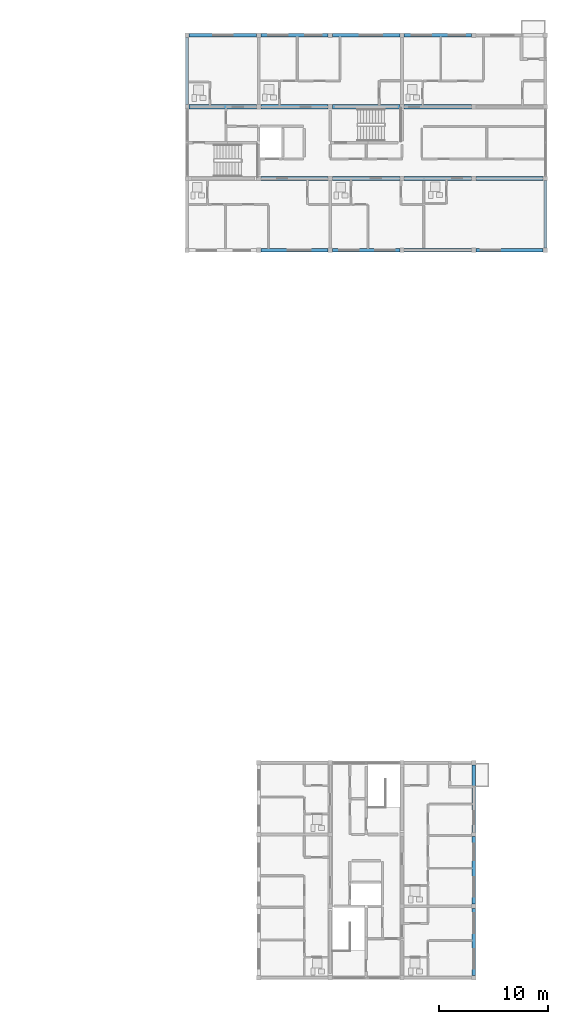
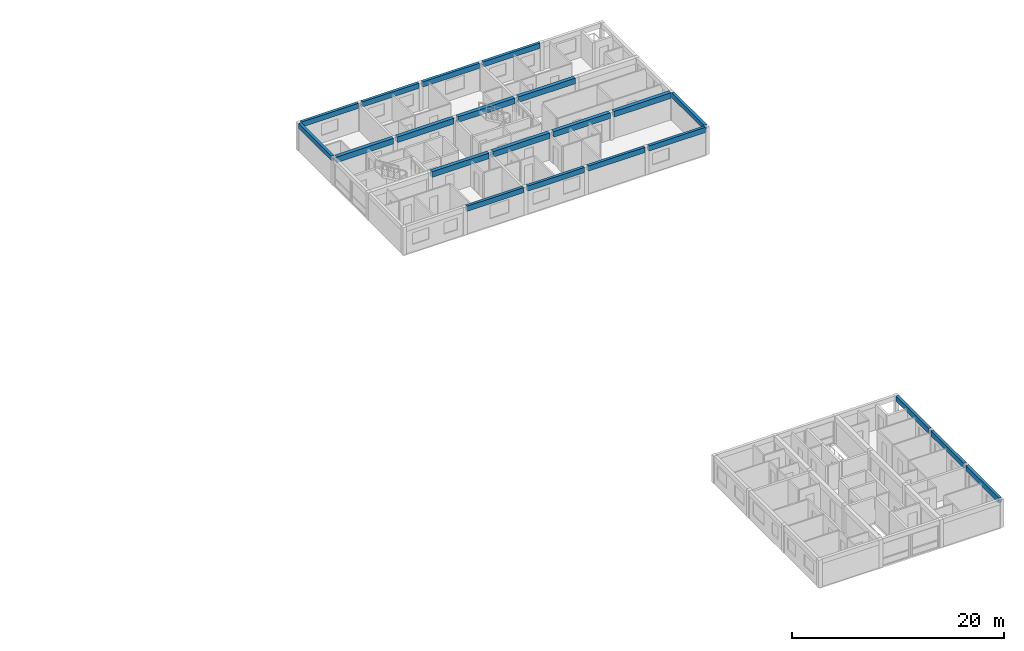
# One storey, part 14 of 34: 21 beams.
"""IFC4 building model written with IfcOpenShell, lengths in metres."""

from ifc_helpers import new_model, si_unit, direction, frame, origin, origin_2d, place, context, subcontext, project, spatial, rectangle, extrude, material, material_profile, profile_set, type_object, element, save


model = new_model("IFC4")

# Units and contexts
model_context = context("Model", 3, precision=1e-05, world=origin(), true_north=direction((0.0, 1.0)))
body_context = subcontext(model_context, "Body", "Model", "MODEL_VIEW")
ifc_project = project(units=[si_unit("LENGTHUNIT", "METRE"), si_unit("AREAUNIT", "SQUARE_METRE"), si_unit("VOLUMEUNIT", "CUBIC_METRE"), si_unit("PLANEANGLEUNIT", "RADIAN"), si_unit("MASSUNIT", "GRAM", prefix="KILO")], contexts=[model_context])

# Site, building, storey
site_placement = place(None, origin())
site = spatial("IfcSite", under=ifc_project, at=site_placement, CompositionType="ELEMENT")
building_placement = place(site_placement, origin())
building = spatial("IfcBuilding", under=site, at=building_placement, Name="Kernevlak Ridge Housing Community", CompositionType="ELEMENT")
storey_placement = place(building_placement, frame((0.0, 0.0, 40.39990234375)))
storey = spatial("IfcBuildingStorey", under=building, at=storey_placement, Name="L12", CompositionType="ELEMENT", Elevation=40.39990234375)

# Beams
ifc_material = material(Name="Concrete C35/45", Category="concrete")
ifc_material_profile_1 = material_profile(ifc_material, rectangle(XDim=0.39990234375, YDim=0.64990234375, at=origin_2d()), Name="RC 400x650")
ifc_profile_set_1 = profile_set([ifc_material_profile_1], Name="Concrete C35/45")
beam_type_1 = type_object("IfcBeamType", Name="B-03", PredefinedType="T_BEAM", material=ifc_profile_set_1)
for number, where, z_axis, x_axis, name in (
    (1, (126.199951171875, 89.199951171875, 2.875), (1.0, 0.0, 0.0), (0.0, 1.0, 0.0), "Beam B-03 L12 895"),
    (2, (132.800048828125, 89.199951171875, 2.875), (1.0, 0.0, 0.0), (0.0, 1.0, 0.0), "Beam B-03 L12 896"),
):
    element("IfcBeam", number, at=place(storey_placement, frame(where, z_axis=z_axis, x_axis=x_axis)), inside=storey, type_object=beam_type_1, Name=name, PredefinedType="T_BEAM", context=body_context, shape_type="SweptSolid", body=[
        extrude(rectangle(XDim=0.39990234375, YDim=0.64990234375, at=origin_2d()), origin(), (0.0, 0.0, 1.0), 6.199951171875),
    ])
beam_1_placement = place(storey_placement, frame((139.39990234375, 89.199951171875, 2.875), z_axis=(1.0, 0.0, 0.0), x_axis=(0.0, 1.0, 0.0)))
element("IfcBeam", 3, at=beam_1_placement, inside=storey, type_object=beam_type_1, Name="Beam B-03 L12 897", PredefinedType="T_BEAM", context=body_context, shape_type="SweptSolid", body=[
    extrude(rectangle(XDim=0.39990234375, YDim=0.64990234375, at=origin_2d()), origin(), (0.0, 0.0, 1.0), 6.2001953125),
])
for number, where, z_axis, x_axis, name in (
    (4, (146.0, 89.199951171875, 2.875), (1.0, 0.0, 0.0), (0.0, 1.0, 0.0), "Beam B-03 L12 898"),
    (5, (119.60009765625, 95.800048828125, 2.875), (1.0, 0.0, 0.0), (0.0, 1.0, 0.0), "Beam B-03 L12 899"),
    (6, (126.199951171875, 95.800048828125, 2.875), (1.0, 0.0, 0.0), (0.0, 1.0, 0.0), "Beam B-03 L12 900"),
    (7, (132.800048828125, 95.800048828125, 2.875), (1.0, 0.0, 0.0), (0.0, 1.0, 0.0), "Beam B-03 L12 901"),
):
    element("IfcBeam", number, at=place(storey_placement, frame(where, z_axis=z_axis, x_axis=x_axis)), inside=storey, type_object=beam_type_1, Name=name, PredefinedType="T_BEAM", context=body_context, shape_type="SweptSolid", body=[
        extrude(rectangle(XDim=0.39990234375, YDim=0.64990234375, at=origin_2d()), origin(), (0.0, 0.0, 1.0), 6.199951171875),
    ])
beam_2_placement = place(storey_placement, frame((139.39990234375, 95.800048828125, 2.875), z_axis=(1.0, 0.0, 0.0), x_axis=(0.0, 1.0, 0.0)))
element("IfcBeam", 8, at=beam_2_placement, inside=storey, type_object=beam_type_1, Name="Beam B-03 L12 902", PredefinedType="T_BEAM", context=body_context, shape_type="SweptSolid", body=[
    extrude(rectangle(XDim=0.39990234375, YDim=0.64990234375, at=origin_2d()), origin(), (0.0, 0.0, 1.0), 6.2001953125),
])
ifc_material_profile_2 = material_profile(ifc_material, rectangle(XDim=0.300048828125, YDim=0.550048828125, at=origin_2d()), Name="RC 300x550")
ifc_profile_set_2 = profile_set([ifc_material_profile_2], Name="Concrete C35/45")
beam_type_2 = type_object("IfcBeamType", Name="SP-01", PredefinedType="SPANDREL", material=ifc_profile_set_2)
for number, where, z_axis, x_axis, name in (
    (9, (119.39990234375, 96.0, 2.925048828125), (0.0, 1.0, 0.0), (-1.0, 0.0, 0.0), "Beam SP-01 L12 911"),
    (10, (152.39990234375, 82.800048828125, 2.925048828125), (0.0, 1.0, 0.0), (-1.0, 0.0, 0.0), "Beam SP-01 L12 912"),
):
    element("IfcBeam", number, at=place(storey_placement, frame(where, z_axis=z_axis, x_axis=x_axis)), inside=storey, type_object=beam_type_2, Name=name, PredefinedType="SPANDREL", context=body_context, shape_type="SweptSolid", body=[
        extrude(rectangle(XDim=0.300048828125, YDim=0.550048828125, at=origin_2d()), origin(), (0.0, 0.0, 1.0), 6.199951171875),
    ])
ifc_material_profile_3 = material_profile(ifc_material, rectangle(XDim=0.300048828125, YDim=0.60009765625, at=origin_2d()), Name="RC 300x600")
ifc_profile_set_3 = profile_set([ifc_material_profile_3], Name="Concrete C35/45")
beam_type_3 = type_object("IfcBeamType", Name="SP-02", PredefinedType="SPANDREL", material=ifc_profile_set_3)
for number, where, z_axis, x_axis, name in (
    (11, (126.199951171875, 82.60009765625, 2.900146484375), (1.0, 0.0, 0.0), (0.0, 1.0, 0.0), "Beam SP-02 L12 890"),
    (12, (132.800048828125, 82.60009765625, 2.900146484375), (1.0, 0.0, 0.0), (0.0, 1.0, 0.0), "Beam SP-02 L12 891"),
):
    element("IfcBeam", number, at=place(storey_placement, frame(where, z_axis=z_axis, x_axis=x_axis)), inside=storey, type_object=beam_type_3, Name=name, PredefinedType="SPANDREL", context=body_context, shape_type="SweptSolid", body=[
        extrude(rectangle(XDim=0.300048828125, YDim=0.60009765625, at=origin_2d()), origin(), (0.0, 0.0, 1.0), 6.199951171875),
    ])
beam_3_placement = place(storey_placement, frame((139.39990234375, 82.60009765625, 2.900146484375), z_axis=(1.0, 0.0, 0.0), x_axis=(0.0, 1.0, 0.0)))
element("IfcBeam", 13, at=beam_3_placement, inside=storey, type_object=beam_type_3, Name="Beam SP-02 L12 892", PredefinedType="SPANDREL", context=body_context, shape_type="SweptSolid", body=[
    extrude(rectangle(XDim=0.300048828125, YDim=0.60009765625, at=origin_2d()), origin(), (0.0, 0.0, 1.0), 6.2001953125),
])
for number, where, z_axis, x_axis, name in (
    (14, (146.0, 82.60009765625, 2.900146484375), (1.0, 0.0, 0.0), (0.0, 1.0, 0.0), "Beam SP-02 L12 893"),
    (15, (119.60009765625, 102.39990234375, 2.900146484375), (1.0, 0.0, 0.0), (0.0, 1.0, 0.0), "Beam SP-02 L12 904"),
    (16, (126.199951171875, 102.39990234375, 2.900146484375), (1.0, 0.0, 0.0), (0.0, 1.0, 0.0), "Beam SP-02 L12 905"),
    (17, (132.800048828125, 102.39990234375, 2.900146484375), (1.0, 0.0, 0.0), (0.0, 1.0, 0.0), "Beam SP-02 L12 906"),
):
    element("IfcBeam", number, at=place(storey_placement, frame(where, z_axis=z_axis, x_axis=x_axis)), inside=storey, type_object=beam_type_3, Name=name, PredefinedType="SPANDREL", context=body_context, shape_type="SweptSolid", body=[
        extrude(rectangle(XDim=0.300048828125, YDim=0.60009765625, at=origin_2d()), origin(), (0.0, 0.0, 1.0), 6.199951171875),
    ])
beam_4_placement = place(storey_placement, frame((139.39990234375, 102.39990234375, 2.900146484375), z_axis=(1.0, 0.0, 0.0), x_axis=(0.0, 1.0, 0.0)))
element("IfcBeam", 18, at=beam_4_placement, inside=storey, type_object=beam_type_3, Name="Beam SP-02 L12 907", PredefinedType="SPANDREL", context=body_context, shape_type="SweptSolid", body=[
    extrude(rectangle(XDim=0.300048828125, YDim=0.60009765625, at=origin_2d()), origin(), (0.0, 0.0, 1.0), 6.2001953125),
])
beam_5_placement = place(storey_placement, frame((145.800048828125, 15.800048828125, 2.900146484375), z_axis=(0.0, 1.0, 0.0), x_axis=(-1.0, 0.0, 0.0)))
element("IfcBeam", 19, at=beam_5_placement, inside=storey, type_object=beam_type_3, Name="Beam SP-02 L12 1270", PredefinedType="SPANDREL", context=body_context, shape_type="SweptSolid", body=[
    extrude(rectangle(XDim=0.300048828125, YDim=0.60009765625, at=origin_2d()), origin(), (0.0, 0.0, 1.0), 6.199951171875),
])
beam_6_placement = place(storey_placement, frame((145.800048828125, 22.39990234375, 2.900146484375), z_axis=(0.0, 1.0, 0.0), x_axis=(-1.0, 0.0, 0.0)))
element("IfcBeam", 20, at=beam_6_placement, inside=storey, type_object=beam_type_3, Name="Beam SP-02 L12 1271", PredefinedType="SPANDREL", context=body_context, shape_type="SweptSolid", body=[
    extrude(rectangle(XDim=0.300048828125, YDim=0.60009765625, at=origin_2d()), origin(), (0.0, 0.0, 1.0), 6.2001953125),
])
beam_7_placement = place(storey_placement, frame((145.800048828125, 29.0, 2.900146484375), z_axis=(0.0, 1.0, 0.0), x_axis=(-1.0, 0.0, 0.0)))
element("IfcBeam", 21, at=beam_7_placement, inside=storey, type_object=beam_type_3, Name="Beam SP-02 L12 1272", PredefinedType="SPANDREL", context=body_context, shape_type="SweptSolid", body=[
    extrude(rectangle(XDim=0.300048828125, YDim=0.60009765625, at=origin_2d()), origin(), (0.0, 0.0, 1.0), 6.199951171875),
])

save(model, "model.ifc")
